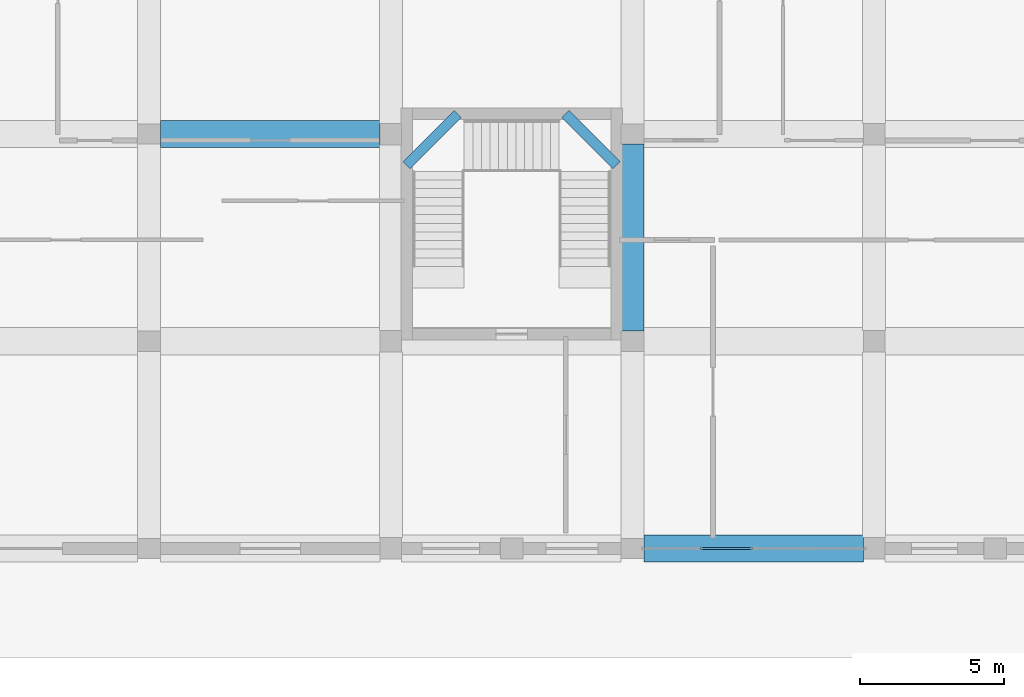
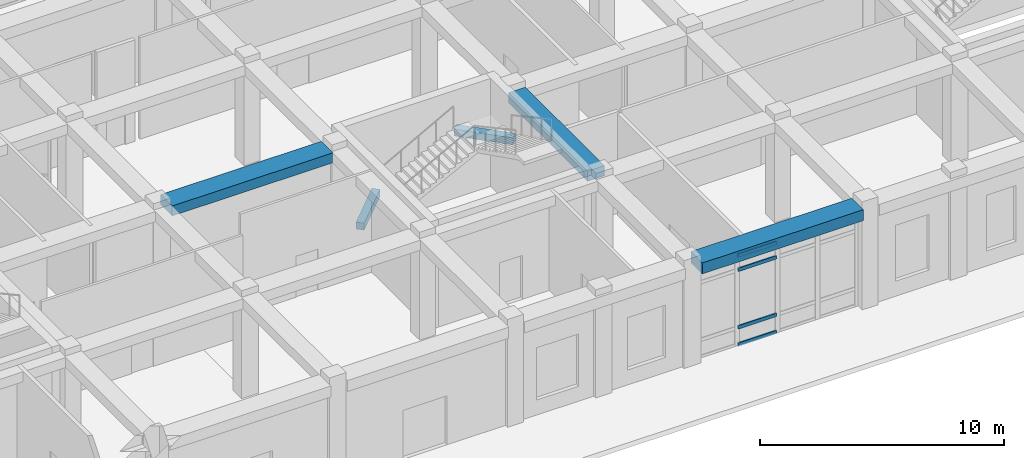
# One storey, part 18 of 84: 5 beams, 4 members, 1 element without a shape of its own.
"""IFC4 building model written with IfcOpenShell, lengths in metres."""

from ifc_helpers import new_model, si_unit, derived_unit, direction, frame, origin, origin_2d, place, context, subcontext, project, spatial, rectangle, hollow_rectangle, extrude, material, material_profile, profile_set, type_object, element, aggregate, save


model = new_model("IFC4")

# Units and contexts
model_context = context("Model", 3, precision=1e-05, world=origin(), true_north=direction((0.0, 1.0)))
body_context = subcontext(model_context, "Body", "Model", "MODEL_VIEW")
ifc_project = project(units=[si_unit("LENGTHUNIT", "METRE"), si_unit("AREAUNIT", "SQUARE_METRE"), si_unit("VOLUMEUNIT", "CUBIC_METRE"), si_unit("PLANEANGLEUNIT", "RADIAN"), si_unit("MASSUNIT", "GRAM", prefix="KILO"), derived_unit("THERMALTRANSMITTANCEUNIT", [(si_unit("POWERUNIT", "WATT"), 1), (si_unit("LENGTHUNIT", "METRE"), -2), (si_unit("THERMODYNAMICTEMPERATUREUNIT", "KELVIN"), -1)])], contexts=[model_context])

# Site, building, storey
site_placement = place(None, origin())
site = spatial("IfcSite", under=ifc_project, at=site_placement, CompositionType="ELEMENT")
building_placement = place(site_placement, origin())
building = spatial("IfcBuilding", under=site, at=building_placement, Name="Veybourne Emporium", CompositionType="ELEMENT")
storey_placement = place(building_placement, origin())
storey = spatial("IfcBuildingStorey", under=building, at=storey_placement, Name="L00", CompositionType="ELEMENT", Elevation=0.0)

# Curtain wall, members
ifc_material_1 = material(Name="Patinated Architectural Bronze", Category="bronze")
curtain_wall_type = type_object("IfcCurtainWallType", Name="CWSystem_CWS-11", PredefinedType="NOTDEFINED", material=ifc_material_1)
curtain_wall_placement = place(storey_placement, origin())
curtain_wall = element("IfcCurtainWall", 1, at=curtain_wall_placement, inside=storey, type_object=curtain_wall_type, Name="L00 bronze glazed curtain wall CWS-11 (057)", PredefinedType="NOTDEFINED")
ifc_material_profile_1 = material_profile(ifc_material_1, hollow_rectangle(XDim=0.077880859375, YDim=0.18505859375, WallThickness=0.0048828125, InnerFilletRadius=0.007568359375, OuterFilletRadius=0.012451171875, at=origin_2d()), Name="CWT 78x185x5")
ifc_profile_set_1 = profile_set([ifc_material_profile_1], Name="Patinated Architectural Bronze")
member_type = type_object("IfcMemberType", Name="CWTransom_CW-T3", PredefinedType="NOTDEFINED", material=ifc_profile_set_1)
member_1_placement = place(storey_placement, frame((113.37353515625, 0.0, 0.0390625), z_axis=(-1.0, 0.0, 0.0), x_axis=(0.0, -1.0, 0.0)))
member_1 = element("IfcMember", 2, at=member_1_placement, type_object=member_type, Name="CWS-11 transom 3.1", ObjectType="TRANSOM", PredefinedType="USERDEFINED", context=body_context, shape_type="SweptSolid", body=[
    extrude(hollow_rectangle(XDim=0.077880859375, YDim=0.18505859375, WallThickness=0.0048828125, InnerFilletRadius=0.007568359375, OuterFilletRadius=0.012451171875, at=origin_2d()), origin(), (0.0, 0.0, 1.0), 1.828369140625),
])
member_2_placement = place(storey_placement, frame((113.37353515625, 0.0, 0.89990234375), z_axis=(-1.0, 0.0, 0.0), x_axis=(0.0, -1.0, 0.0)))
member_2 = element("IfcMember", 3, at=member_2_placement, type_object=member_type, Name="CWS-11 transom 3.2", ObjectType="TRANSOM", PredefinedType="USERDEFINED", context=body_context, shape_type="SweptSolid", body=[
    extrude(hollow_rectangle(XDim=0.077880859375, YDim=0.18505859375, WallThickness=0.0048828125, InnerFilletRadius=0.007568359375, OuterFilletRadius=0.012451171875, at=origin_2d()), origin(), (0.0, 0.0, 1.0), 1.828369140625),
])
member_3_placement = place(storey_placement, frame((113.37353515625, 0.0, 3.780029296875), z_axis=(-1.0, 0.0, 0.0), x_axis=(0.0, -1.0, 0.0)))
member_3 = element("IfcMember", 4, at=member_3_placement, type_object=member_type, Name="CWS-11 transom 3.3", ObjectType="TRANSOM", PredefinedType="USERDEFINED", context=body_context, shape_type="SweptSolid", body=[
    extrude(hollow_rectangle(XDim=0.077880859375, YDim=0.18505859375, WallThickness=0.0048828125, InnerFilletRadius=0.007568359375, OuterFilletRadius=0.012451171875, at=origin_2d()), origin(), (0.0, 0.0, 1.0), 1.828369140625),
])
member_4_placement = place(storey_placement, frame((113.37353515625, 0.0, 4.490966796875), z_axis=(-1.0, 0.0, 0.0), x_axis=(0.0, -1.0, 0.0)))
member_4 = element("IfcMember", 5, at=member_4_placement, type_object=member_type, Name="CWS-11 transom 3.4", ObjectType="TRANSOM", PredefinedType="USERDEFINED", context=body_context, shape_type="SweptSolid", body=[
    extrude(hollow_rectangle(XDim=0.077880859375, YDim=0.18505859375, WallThickness=0.0048828125, InnerFilletRadius=0.007568359375, OuterFilletRadius=0.012451171875, at=origin_2d()), origin(), (0.0, 0.0, 1.0), 1.828369140625),
])
aggregate(curtain_wall, [member_1, member_2, member_3, member_4])

# Beams
ifc_material_2 = material(Name="Concrete C32/40", Category="concrete")
ifc_material_profile_2 = material_profile(ifc_material_2, rectangle(XDim=0.35009765625, YDim=0.35009765625, at=origin_2d()), Name="RC 350x350")
ifc_profile_set_2 = profile_set([ifc_material_profile_2], Name="Concrete C32/40")
beam_type_1 = type_object("IfcBeamType", Name="LandingBeam_LB-01", PredefinedType="BEAM", material=ifc_profile_set_2)
for number, where, z_axis, x_axis, name in (
    (6, (101.35009765625, 13.320068359375, 1.445068359375), (0.707058284442, 0.707155274605, 0.0), (-0.707155274605, 0.707058284442, 0.0), "L00 ST-11 landing 1 support beam"),
    (7, (106.8701171875, 15.10009765625, 3.2451171875), (0.707058284442, -0.707155274605, 0.0), (0.707155274605, 0.707058284442, 0.0), "L00 ST-11 landing 2 support beam"),
):
    element("IfcBeam", number, at=place(storey_placement, frame(where, z_axis=z_axis, x_axis=x_axis)), inside=storey, type_object=beam_type_1, Name=name, PredefinedType="BEAM", context=body_context, shape_type="SweptSolid", body=[
        extrude(rectangle(XDim=0.35009765625, YDim=0.35009765625, at=origin_2d()), origin(), (0.0, 0.0, 1.0), 2.51708984375),
    ])
ifc_material_profile_3 = material_profile(ifc_material_2, rectangle(XDim=0.949951171875, YDim=0.5, at=origin_2d()), Name="RC 950x500")
ifc_profile_set_3 = profile_set([ifc_material_profile_3], Name="Concrete C32/40")
beam_type_2 = type_object("IfcBeamType", Name="RCBeam_BB-01", PredefinedType="BEAM", material=ifc_profile_set_3)
beam_1_placement = place(storey_placement, frame((92.800048828125, 14.39990234375, 4.830078125), z_axis=(1.0, 0.0, 0.0), x_axis=(0.0, 1.0, 0.0)))
element("IfcBeam", 8, at=beam_1_placement, inside=storey, type_object=beam_type_2, Name="L00 X-grid beam BB-01 (11,2)", PredefinedType="BEAM", context=body_context, shape_type="SweptSolid", body=[
    extrude(rectangle(XDim=0.949951171875, YDim=0.5, at=origin_2d()), origin(), (0.0, 0.0, 1.0), 7.625),
])
ifc_material_profile_4 = material_profile(ifc_material_2, rectangle(XDim=0.800048828125, YDim=0.5, at=origin_2d()), Name="RC 800x500")
ifc_profile_set_4 = profile_set([ifc_material_profile_4], Name="Concrete C32/40")
beam_type_3 = type_object("IfcBeamType", Name="RCBeam_BB-02", PredefinedType="BEAM", material=ifc_profile_set_4)
beam_2_placement = place(storey_placement, frame((109.199951171875, 7.550048828125, 4.830078125), z_axis=(0.0, 1.0, 0.0), x_axis=(-1.0, 0.0, 0.0)))
element("IfcBeam", 9, at=beam_2_placement, inside=storey, type_object=beam_type_3, Name="L00 Y-grid beam BB-02 (13,1)", PredefinedType="BEAM", context=body_context, shape_type="SweptSolid", body=[
    extrude(rectangle(XDim=0.800048828125, YDim=0.5, at=origin_2d()), origin(), (0.0, 0.0, 1.0), 6.5),
])
ifc_material_profile_5 = material_profile(ifc_material_2, rectangle(XDim=0.949951171875, YDim=0.550048828125, at=origin_2d()), Name="RC 950x550")
ifc_profile_set_5 = profile_set([ifc_material_profile_5], Name="Concrete C32/40")
beam_type_4 = type_object("IfcBeamType", Name="RCBeam_EB-01", PredefinedType="SPANDREL", material=ifc_profile_set_5)
beam_3_placement = place(storey_placement, frame((109.60009765625, 0.0, 4.804931640625), z_axis=(1.0, 0.0, 0.0), x_axis=(0.0, 1.0, 0.0)))
element("IfcBeam", 10, at=beam_3_placement, inside=storey, type_object=beam_type_4, Name="L00 X-grid beam EB-01 (13,0)", PredefinedType="SPANDREL", context=body_context, shape_type="SweptSolid", body=[
    extrude(rectangle(XDim=0.949951171875, YDim=0.550048828125, at=origin_2d()), origin(), (0.0, 0.0, 1.0), 7.625),
])

save(model, "model.ifc")
